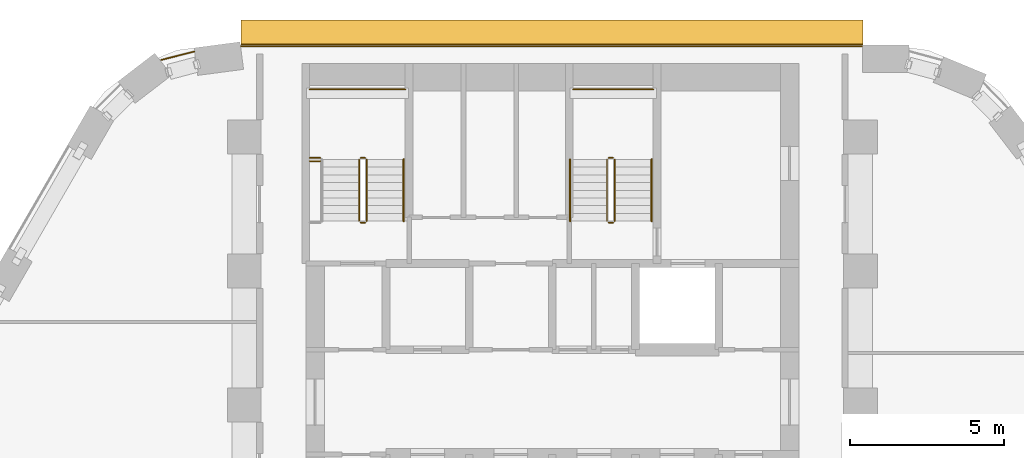
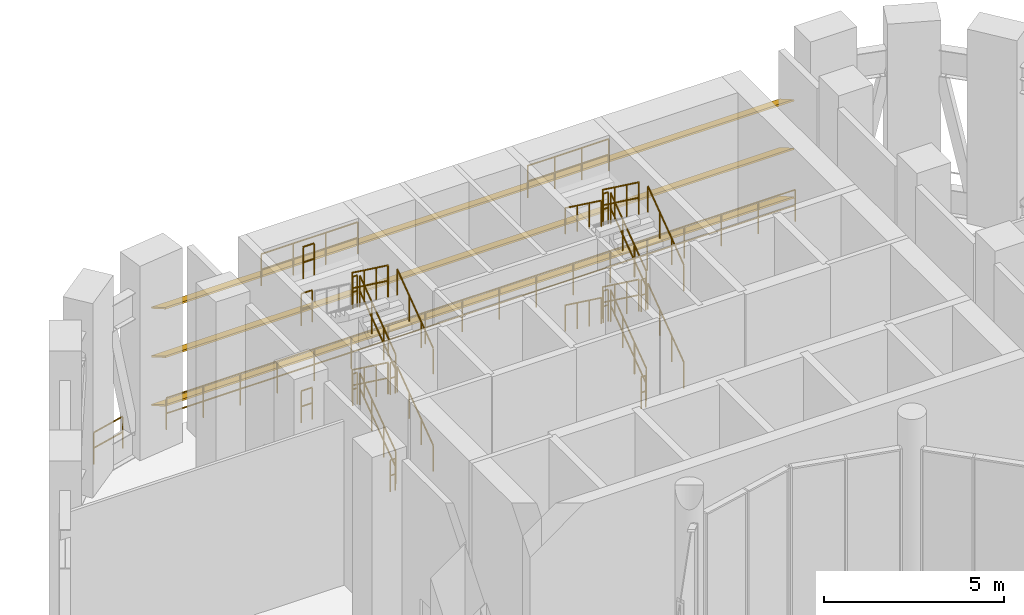
# One storey, part 19 of 20: 29 railings, 3 shading devices.
"""IFC4 building model written with IfcOpenShell, lengths in metres."""

import ifcopenshell
import ifcopenshell.guid

model = None  # the IFC model being written
_history = None  # IfcOwnerHistory: only IFC2X3 demands one
_inside = {}  # id of a spatial element -> (the spatial element, [elements in it])
_under = {}  # id of a project, library or spatial element -> (it, [spatial elements below it])
_declared = {}  # id of a project -> (the project, [libraries it declares])
_typed = {}  # id of a type object -> (the type object, [elements of that type])
_made_of = {}  # id of a material, layer set ... -> (it, [elements and type objects made of it])


def new_model(schema):
    """Start an empty IFC model of exactly this schema.

    Asked for "IFC4X3", IfcOpenShell would pick the latest addendum, in which some entities
    have other attributes; the version numbers below select the first issue.
    IFC2X3 requires an IfcOwnerHistory on every rooted entity: one is made here for all.
    """
    global model, _history
    if schema == "IFC4X3":
        model = ifcopenshell.file(schema_version=(4, 3, 0, 0))
    else:
        model = ifcopenshell.file(schema=schema)
    _inside.clear()
    _under.clear()
    _declared.clear()
    _typed.clear()
    _made_of.clear()
    _history = None
    if model.schema == "IFC2X3":
        org = make("IfcOrganization", Name="unknown")
        user = make(
            "IfcPersonAndOrganization",
            ThePerson=make("IfcPerson", FamilyName="unknown"),
            TheOrganization=org,
        )
        app = make(
            "IfcApplication",
            ApplicationDeveloper=org,
            Version="unknown",
            ApplicationFullName="unknown",
            ApplicationIdentifier="unknown",
        )
        _history = make(
            "IfcOwnerHistory",
            OwningUser=user,
            OwningApplication=app,
            ChangeAction="ADDED",
            CreationDate=0,
        )
    return model


def make(cls, **values):
    """One entity of the class cls with the attributes given. An attribute that is None is left unset."""
    return model.create_entity(
        cls, **{name: value for name, value in values.items() if value is not None}
    )


def rooted(cls, **values):
    """An entity with a GlobalId (a new one), such as an element, a storey or a relation."""
    return make(cls, GlobalId=ifcopenshell.guid.new(), OwnerHistory=_history, **values)


def si_unit(unit_type, name, prefix=None):
    """IfcSIUnit, for example si_unit("LENGTHUNIT", "METRE", prefix="MILLI")."""
    return make("IfcSIUnit", UnitType=unit_type, Prefix=prefix, Name=name)


def assignment(units):
    """IfcUnitAssignment: the units of a project."""
    return None if units is None else make("IfcUnitAssignment", Units=units)


def point(xyz):
    """IfcCartesianPoint."""
    return None if xyz is None else make("IfcCartesianPoint", Coordinates=xyz)


def direction(xyz):
    """IfcDirection."""
    return None if xyz is None else make("IfcDirection", DirectionRatios=xyz)


def frame(location, z_axis=None, x_axis=None):
    """IfcAxis2Placement3D, a coordinate frame: its origin and axes. An axis left out is left unset."""
    return make(
        "IfcAxis2Placement3D",
        Location=point(location),
        Axis=direction(z_axis),
        RefDirection=direction(x_axis),
    )


def frame_2d(location, x_axis=None):
    """IfcAxis2Placement2D, a coordinate frame in the plane: its origin and x axis."""
    return make(
        "IfcAxis2Placement2D", Location=point(location), RefDirection=direction(x_axis)
    )


def origin():
    """The frame at (0, 0, 0) with its axes left unset."""
    return frame((0.0, 0.0, 0.0))


def origin_2d():
    """The frame at (0, 0) in the plane with its x axis left unset."""
    return frame_2d((0.0, 0.0))


def place(relative_to, where):
    """IfcLocalPlacement: puts the frame where relative to a parent placement (None: the world)."""
    return make(
        "IfcLocalPlacement", PlacementRelTo=relative_to, RelativePlacement=where
    )


def context(
    kind, dimensions, precision=None, world=None, true_north=None, identifier=None
):
    """IfcGeometricRepresentationContext, for example the 3D "Model" context."""
    return make(
        "IfcGeometricRepresentationContext",
        ContextIdentifier=identifier,
        ContextType=kind,
        CoordinateSpaceDimension=dimensions,
        Precision=precision,
        WorldCoordinateSystem=world,
        TrueNorth=true_north,
    )


def subcontext(parent, identifier, kind, view, scale=None):
    """IfcGeometricRepresentationSubContext, for example "Body" below "Model"."""
    return make(
        "IfcGeometricRepresentationSubContext",
        ContextIdentifier=identifier,
        ContextType=kind,
        ParentContext=parent,
        TargetScale=scale,
        TargetView=view,
    )


def project(units=None, contexts=None):
    """IfcProject with its units and contexts."""
    return rooted(
        "IfcProject",
        Name="project",
        RepresentationContexts=contexts,
        UnitsInContext=assignment(units),
    )


def spatial(cls, under=None, at=None, **own):
    """A site, building, storey or space (cls), placed at a placement, below another one or the project."""
    s = rooted(cls, ObjectPlacement=at, **own)
    if under is not None:
        _under.setdefault(under.id(), (under, []))[1].append(s)
    return s


def profile(cls, at=None, kind="AREA", **sizes):
    """A parametric profile (cls). Its sizes go by their IFC names, for example OverallWidth=200.0."""
    return make(cls, ProfileType=kind, Position=at, **sizes)


def rectangle(**sizes):
    """IfcRectangleProfileDef."""
    return profile("IfcRectangleProfileDef", **sizes)


def circle(**sizes):
    """IfcCircleProfileDef."""
    return profile("IfcCircleProfileDef", **sizes)


def extrude(swept, where, along, depth):
    """IfcExtrudedAreaSolid: the profile swept, set in the frame where, extruded along a direction by depth."""
    return make(
        "IfcExtrudedAreaSolid",
        SweptArea=swept,
        Position=where,
        ExtrudedDirection=direction(along),
        Depth=depth,
    )


def shape(context_of_items, identifier, shape_type, items):
    """IfcShapeRepresentation: the items that make up one representation, for example the "Body"."""
    return make(
        "IfcShapeRepresentation",
        ContextOfItems=context_of_items,
        RepresentationIdentifier=identifier,
        RepresentationType=shape_type,
        Items=items,
    )


def material(Name=None, Category=None):
    """IfcMaterial."""
    return make("IfcMaterial", Name=Name, Category=Category)


def material_profile(
    of_material, cross_section, Name=None, Category=None, Priority=None
):
    """IfcMaterialProfile: a cross section and its material."""
    return make(
        "IfcMaterialProfile",
        Name=Name,
        Material=of_material,
        Profile=cross_section,
        Priority=Priority,
        Category=Category,
    )


def profile_set(profiles, Name=None, composite=None):
    """IfcMaterialProfileSet."""
    return make(
        "IfcMaterialProfileSet",
        Name=Name,
        MaterialProfiles=profiles,
        CompositeProfile=composite,
    )


def made_of(thing, what):
    """Note that an element or type object is made of a material, layer set ...; save() writes the relation."""
    if what is not None:
        _made_of.setdefault(what.id(), (what, []))[1].append(thing)
    return thing


def type_object(cls, material=None, **own):
    """A type object (cls), such as IfcWallType, which elements share."""
    return made_of(rooted(cls, **own), material)


def element(
    cls,
    number,
    at=None,
    inside=None,
    cuts=None,
    type_object=None,
    material=None,
    context=None,
    identifier="Body",
    shape_type=None,
    held_by="IfcProductDefinitionShape",
    body=None,
    shapes=None,
    **own,
):
    """One element of the class cls, such as IfcWall. Its Tag is "e" and its number.

    at: its placement. inside: the storey or other place that contains it. cuts: it is an
    opening in that element (IfcRelVoidsElement). A single representation is given by context,
    identifier, shape_type and body (its items); several are given by shapes. held_by: the class
    of the entity that holds the representations. save() writes the other relations.
    """
    e = rooted(cls, Tag="e%d" % number, ObjectPlacement=at, **own)
    if body is not None:
        shapes = [shape(context, identifier, shape_type, body)]
    if shapes is not None:
        e.Representation = make(held_by, Representations=shapes)
    if inside is not None:
        _inside.setdefault(inside.id(), (inside, []))[1].append(e)
    if cuts is not None:
        rooted(
            "IfcRelVoidsElement", RelatingBuildingElement=cuts, RelatedOpeningElement=e
        )
    if type_object is not None:
        _typed.setdefault(type_object.id(), (type_object, []))[1].append(e)
    return made_of(e, material)


def aggregate(whole, parts):
    """IfcRelAggregates: a whole, such as a stair, and the parts it consists of."""
    return rooted("IfcRelAggregates", RelatingObject=whole, RelatedObjects=parts)


def save(model, path):
    """Write the relations noted so far, then the file.

    IfcRelAggregates (storeys below a building ...), IfcRelContainedInSpatialStructure (elements
    in a storey), IfcRelDefinesByType, IfcRelAssociatesMaterial and IfcRelDeclares: one each for
    every whole, place, type object, material and project.
    """
    for whole, parts in _under.values():
        aggregate(whole, parts)
    for where, things in _inside.values():
        rooted(
            "IfcRelContainedInSpatialStructure",
            RelatedElements=things,
            RelatingStructure=where,
        )
    for kind, things in _typed.values():
        rooted("IfcRelDefinesByType", RelatedObjects=things, RelatingType=kind)
    for what, things in _made_of.values():
        rooted("IfcRelAssociatesMaterial", RelatedObjects=things, RelatingMaterial=what)
    for by, libraries in _declared.values():
        rooted("IfcRelDeclares", RelatingContext=by, RelatedDefinitions=libraries)
    model.write(path)


model = new_model("IFC4")

# Units and contexts
model_context = context("Model", 3, precision=1e-05, world=origin(), true_north=direction((0.0, 1.0)))
body_context = subcontext(model_context, "Body", "Model", "MODEL_VIEW")
ifc_project = project(units=[si_unit("LENGTHUNIT", "METRE"), si_unit("AREAUNIT", "SQUARE_METRE"), si_unit("VOLUMEUNIT", "CUBIC_METRE"), si_unit("PLANEANGLEUNIT", "RADIAN"), si_unit("MASSUNIT", "GRAM", prefix="KILO")], contexts=[model_context])

# Site, building, storey
site_placement = place(None, origin())
site = spatial("IfcSite", under=ifc_project, at=site_placement, CompositionType="ELEMENT")
building_placement = place(site_placement, origin())
building = spatial("IfcBuilding", under=site, at=building_placement, Name="Nakaniwa Court", CompositionType="ELEMENT")
storey_placement = place(building_placement, frame((0.0, 0.0, 71.10009765625)))
storey = spatial("IfcBuildingStorey", under=building, at=storey_placement, Name="S1", CompositionType="ELEMENT", Elevation=71.10009765625)

# Railings
ifc_material_1 = material(Name="Black powder-coated steel flat bar balustrade S275", Category="steel")
railing_type_1 = type_object("IfcRailingType", Name="Black metal terrace guard 1100", PredefinedType="GUARDRAIL", material=ifc_material_1)
railing_1_placement = place(storey_placement, frame((90.07861328125, 103.949951171875, 0.0)))
element("IfcRailing", 1, at=railing_1_placement, inside=storey, type_object=railing_type_1, Name="S1 refuge band guard 08", PredefinedType="GUARDRAIL", context=body_context, shape_type="SweptSolid", body=[
    extrude(circle(Radius=0.02392578125, at=origin_2d()), frame((0.0, 0.0, 1.076171875), z_axis=(-1.0, 0.0, 0.0), x_axis=(0.0, -1.0, 0.0)), (0.0, 0.0, 1.0), 20.1904296875),
    extrude(circle(Radius=0.02392578125, at=origin_2d()), frame((0.0, 0.0, 0.550048828125), z_axis=(-1.0, 0.0, 0.0), x_axis=(0.0, -1.0, 0.0)), (0.0, 0.0, 1.0), 20.1904296875),
    extrude(circle(Radius=0.02099609375, at=origin_2d()), origin(), (0.0, 0.0, 1.0), 1.052001953125),
    extrude(circle(Radius=0.02099609375, at=origin_2d()), frame((-1.187744140625, 0.0, 0.0)), (0.0, 0.0, 1.0), 1.052001953125),
    extrude(circle(Radius=0.02099609375, at=origin_2d()), frame((-2.375244140625, 0.0, 0.0)), (0.0, 0.0, 1.0), 1.052001953125),
    extrude(circle(Radius=0.02099609375, at=origin_2d()), frame((-3.56298828125, 0.0, 0.0)), (0.0, 0.0, 1.0), 1.052001953125),
    extrude(circle(Radius=0.02099609375, at=origin_2d()), frame((-4.750732421875, 0.0, 0.0)), (0.0, 0.0, 1.0), 1.052001953125),
    extrude(circle(Radius=0.02099609375, at=origin_2d()), frame((-5.9384765625, 0.0, 0.0)), (0.0, 0.0, 1.0), 1.052001953125),
    extrude(circle(Radius=0.02099609375, at=origin_2d()), frame((-7.1259765625, 0.0, 0.0)), (0.0, 0.0, 1.0), 1.052001953125),
    extrude(circle(Radius=0.02099609375, at=origin_2d()), frame((-8.313720703125, 0.0, 0.0)), (0.0, 0.0, 1.0), 1.052001953125),
    extrude(circle(Radius=0.02099609375, at=origin_2d()), frame((-9.50146484375, 0.0, 0.0)), (0.0, 0.0, 1.0), 1.052001953125),
    extrude(circle(Radius=0.02099609375, at=origin_2d()), frame((-10.68896484375, 0.0, 0.0)), (0.0, 0.0, 1.0), 1.052001953125),
    extrude(circle(Radius=0.02099609375, at=origin_2d()), frame((-11.876708984375, 0.0, 0.0)), (0.0, 0.0, 1.0), 1.052001953125),
    extrude(circle(Radius=0.02099609375, at=origin_2d()), frame((-13.064453125, 0.0, 0.0)), (0.0, 0.0, 1.0), 1.052001953125),
    extrude(circle(Radius=0.02099609375, at=origin_2d()), frame((-14.251953125, 0.0, 0.0)), (0.0, 0.0, 1.0), 1.052001953125),
    extrude(circle(Radius=0.02099609375, at=origin_2d()), frame((-15.439697265625, 0.0, 0.0)), (0.0, 0.0, 1.0), 1.052001953125),
    extrude(circle(Radius=0.02099609375, at=origin_2d()), frame((-16.62744140625, 0.0, 0.0)), (0.0, 0.0, 1.0), 1.052001953125),
    extrude(circle(Radius=0.02099609375, at=origin_2d()), frame((-17.815185546875, 0.0, 0.0)), (0.0, 0.0, 1.0), 1.052001953125),
    extrude(circle(Radius=0.02099609375, at=origin_2d()), frame((-19.002685546875, 0.0, 0.0)), (0.0, 0.0, 1.0), 1.052001953125),
    extrude(circle(Radius=0.02099609375, at=origin_2d()), frame((-20.1904296875, 0.0, 0.0)), (0.0, 0.0, 1.0), 1.052001953125),
])
railing_2_placement = place(storey_placement, frame((68.380859375, 103.780029296875, 0.0)))
element("IfcRailing", 2, at=railing_2_placement, inside=storey, type_object=railing_type_1, Name="S1 refuge band guard 09", PredefinedType="GUARDRAIL", context=body_context, shape_type="SweptSolid", body=[
    extrude(circle(Radius=0.02392578125, at=origin_2d()), frame((0.0, 0.0, 1.076171875), z_axis=(-0.969766298956, -0.244035500304, 0.0), x_axis=(0.244035500304, -0.969766298956, 0.0)), (0.0, 0.0, 1.0), 1.110595703125),
    extrude(circle(Radius=0.02392578125, at=origin_2d()), frame((0.0, 0.0, 0.550048828125), z_axis=(-0.969766298956, -0.244035500304, 0.0), x_axis=(0.244035500304, -0.969766298956, 0.0)), (0.0, 0.0, 1.0), 1.110595703125),
    extrude(circle(Radius=0.02099609375, at=origin_2d()), origin(), (0.0, 0.0, 1.0), 1.052001953125),
    extrude(circle(Radius=0.02099609375, at=origin_2d()), frame((-1.076904296875, -0.27099609375, 0.0)), (0.0, 0.0, 1.0), 1.052001953125),
])

# Shading devices
ifc_material_2 = material(Name="Perforated charcoal ceramic louvre blade")
ifc_material_profile = material_profile(ifc_material_2, rectangle(XDim=0.89990234375, YDim=0.050048828125, at=origin_2d()), Name="Perforated ceramic louvre blade")
ifc_profile_set = profile_set([ifc_material_profile], Name="Perforated charcoal ceramic louvre blade")
shading_device_type = type_object("IfcShadingDeviceType", Name="Perforated ceramic louvre blade", PredefinedType="JALOUSIE", material=ifc_profile_set)
for number, where, z_axis, x_axis, name in (
    (3, (90.07861328125, 104.402099609375, 0.5498046875), (-1.0, 0.0, 0.0), (0.0, -0.866025403784, 0.5), "S1 perforated ceramic louvre blade s08 1"),
    (4, (90.07861328125, 104.402099609375, 2.199951171875), (-1.0, 0.0, 0.0), (0.0, -0.866025403784, 0.5), "S1 perforated ceramic louvre blade s08 2"),
    (5, (90.07861328125, 104.402099609375, 3.849853515625), (-1.0, 0.0, 0.0), (0.0, -0.866025403784, 0.5), "S1 perforated ceramic louvre blade s08 3"),
):
    element("IfcShadingDevice", number, at=place(storey_placement, frame(where, z_axis=z_axis, x_axis=x_axis)), inside=storey, type_object=shading_device_type, Name=name, PredefinedType="JALOUSIE", context=body_context, shape_type="SweptSolid", body=[
        extrude(rectangle(XDim=0.89990234375, YDim=0.050048828125, at=origin_2d()), origin(), (0.0, 0.0, 1.0), 20.1904296875),
    ])

# Railings
ifc_material_3 = material(Name="Black powder coated steel guard", Category="steel")
railing_type_2 = type_object("IfcRailingType", Name="Stair guard 1100", PredefinedType="GUARDRAIL", material=ifc_material_3)
railing_3_placement = place(storey_placement, frame((73.97509765625, 98.27490234375, 0.183349609375)))
element("IfcRailing", 6, at=railing_3_placement, inside=storey, type_object=railing_type_2, Name="S1 ST1 stair guard 1", PredefinedType="GUARDRAIL", context=body_context, shape_type="SweptSolid", body=[
    extrude(circle(Radius=0.02392578125, at=origin_2d()), frame((0.0, 0.0, 1.076171875), z_axis=(0.0, 0.806426902644, 0.591333789573), x_axis=(-1.0, 0.0, 0.0)), (0.0, 0.0, 1.0), 2.47998046875),
    extrude(circle(Radius=0.02392578125, at=origin_2d()), frame((0.0, 0.0, 0.550048828125), z_axis=(0.0, 0.806426902644, 0.591333789573), x_axis=(-1.0, 0.0, 0.0)), (0.0, 0.0, 1.0), 2.47998046875),
    extrude(circle(Radius=0.02099609375, at=origin_2d()), origin(), (0.0, 0.0, 1.0), 1.052001953125),
    extrude(circle(Radius=0.02099609375, at=origin_2d()), frame((0.0, 0.666748046875, 0.48876953125)), (0.0, 0.0, 1.0), 1.052001953125),
    extrude(circle(Radius=0.02099609375, at=origin_2d()), frame((0.0, 1.333251953125, 0.977783203125)), (0.0, 0.0, 1.0), 1.052001953125),
    extrude(circle(Radius=0.02099609375, at=origin_2d()), frame((0.0, 2.0, 1.466552734375)), (0.0, 0.0, 1.0), 1.052001953125),
])
railing_4_placement = place(storey_placement, frame((73.925048828125, 100.324951171875, 1.64990234375)))
element("IfcRailing", 7, at=railing_4_placement, inside=storey, type_object=railing_type_2, Name="S1 ST1 stair guard 2", PredefinedType="GUARDRAIL", context=body_context, shape_type="SweptSolid", body=[
    extrude(circle(Radius=0.02392578125, at=origin_2d()), frame((0.0, 0.0, 1.076171875), z_axis=(-1.0, 0.0, 0.0), x_axis=(0.0, -1.0, 0.0)), (0.0, 0.0, 1.0), 0.150146484375),
    extrude(circle(Radius=0.02392578125, at=origin_2d()), frame((0.0, 0.0, 0.550048828125), z_axis=(-1.0, 0.0, 0.0), x_axis=(0.0, -1.0, 0.0)), (0.0, 0.0, 1.0), 0.150146484375),
    extrude(circle(Radius=0.02099609375, at=origin_2d()), origin(), (0.0, 0.0, 1.0), 1.052001953125),
    extrude(circle(Radius=0.02099609375, at=origin_2d()), frame((-0.150146484375, 0.0, 0.0)), (0.0, 0.0, 1.0), 1.052001953125),
])
railing_5_placement = place(storey_placement, frame((73.72509765625, 100.27490234375, 1.833251953125)))
element("IfcRailing", 8, at=railing_5_placement, inside=storey, type_object=railing_type_2, Name="S1 ST1 stair guard 3", PredefinedType="GUARDRAIL", context=body_context, shape_type="SweptSolid", body=[
    extrude(circle(Radius=0.02392578125, at=origin_2d()), frame((0.0, 0.0, 1.076171875), z_axis=(0.0, -0.806426902644, 0.591333789573), x_axis=(1.0, 0.0, 0.0)), (0.0, 0.0, 1.0), 2.47998046875),
    extrude(circle(Radius=0.02392578125, at=origin_2d()), frame((0.0, 0.0, 0.550048828125), z_axis=(0.0, -0.806426902644, 0.591333789573), x_axis=(1.0, 0.0, 0.0)), (0.0, 0.0, 1.0), 2.47998046875),
    extrude(circle(Radius=0.02099609375, at=origin_2d()), origin(), (0.0, 0.0, 1.0), 1.052001953125),
    extrude(circle(Radius=0.02099609375, at=origin_2d()), frame((0.0, -0.666748046875, 0.48876953125)), (0.0, 0.0, 1.0), 1.052001953125),
    extrude(circle(Radius=0.02099609375, at=origin_2d()), frame((0.0, -1.333251953125, 0.977783203125)), (0.0, 0.0, 1.0), 1.052001953125),
    extrude(circle(Radius=0.02099609375, at=origin_2d()), frame((0.0, -2.0, 1.466552734375)), (0.0, 0.0, 1.0), 1.052001953125),
])
railing_6_placement = place(storey_placement, frame((73.925048828125, 98.22509765625, 3.2998046875)))
element("IfcRailing", 9, at=railing_6_placement, inside=storey, type_object=railing_type_2, Name="S1 ST1 stair guard 4", PredefinedType="GUARDRAIL", context=body_context, shape_type="SweptSolid", body=[
    extrude(circle(Radius=0.02392578125, at=origin_2d()), frame((0.0, 0.0, 1.076171875), z_axis=(-1.0, 0.0, 0.0), x_axis=(0.0, -1.0, 0.0)), (0.0, 0.0, 1.0), 0.150146484375),
    extrude(circle(Radius=0.02392578125, at=origin_2d()), frame((0.0, 0.0, 0.550048828125), z_axis=(-1.0, 0.0, 0.0), x_axis=(0.0, -1.0, 0.0)), (0.0, 0.0, 1.0), 0.150146484375),
    extrude(circle(Radius=0.02099609375, at=origin_2d()), origin(), (0.0, 0.0, 1.0), 1.052001953125),
    extrude(circle(Radius=0.02099609375, at=origin_2d()), frame((-0.150146484375, 0.0, 0.0)), (0.0, 0.0, 1.0), 1.052001953125),
])
railing_7_placement = place(storey_placement, frame((73.97509765625, 98.27490234375, 3.483154296875)))
element("IfcRailing", 10, at=railing_7_placement, inside=storey, type_object=railing_type_2, Name="S1 ST1 stair guard 5", PredefinedType="GUARDRAIL", context=body_context, shape_type="SweptSolid", body=[
    extrude(circle(Radius=0.02392578125, at=origin_2d()), frame((0.0, 0.0, 1.076171875), z_axis=(0.0, 0.806379959628, 0.591397802423), x_axis=(-1.0, 0.0, 0.0)), (0.0, 0.0, 1.0), 2.480224609375),
    extrude(circle(Radius=0.02392578125, at=origin_2d()), frame((0.0, 0.0, 0.550048828125), z_axis=(0.0, 0.806379959628, 0.591397802423), x_axis=(-1.0, 0.0, 0.0)), (0.0, 0.0, 1.0), 2.480224609375),
    extrude(circle(Radius=0.02099609375, at=origin_2d()), origin(), (0.0, 0.0, 1.0), 1.052001953125),
    extrude(circle(Radius=0.02099609375, at=origin_2d()), frame((0.0, 0.666748046875, 0.489013671875)), (0.0, 0.0, 1.0), 1.052001953125),
    extrude(circle(Radius=0.02099609375, at=origin_2d()), frame((0.0, 1.333251953125, 0.977783203125)), (0.0, 0.0, 1.0), 1.052001953125),
    extrude(circle(Radius=0.02099609375, at=origin_2d()), frame((0.0, 2.0, 1.466796875)), (0.0, 0.0, 1.0), 1.052001953125),
])
railing_8_placement = place(storey_placement, frame((73.925048828125, 100.324951171875, 4.949951171875)))
element("IfcRailing", 11, at=railing_8_placement, inside=storey, type_object=railing_type_2, Name="S1 ST1 stair guard 6", PredefinedType="GUARDRAIL", context=body_context, shape_type="SweptSolid", body=[
    extrude(circle(Radius=0.02392578125, at=origin_2d()), frame((0.0, 0.0, 1.076171875), z_axis=(-1.0, 0.0, 0.0), x_axis=(0.0, -1.0, 0.0)), (0.0, 0.0, 1.0), 0.150146484375),
    extrude(circle(Radius=0.02392578125, at=origin_2d()), frame((0.0, 0.0, 0.550048828125), z_axis=(-1.0, 0.0, 0.0), x_axis=(0.0, -1.0, 0.0)), (0.0, 0.0, 1.0), 0.150146484375),
    extrude(circle(Radius=0.02099609375, at=origin_2d()), origin(), (0.0, 0.0, 1.0), 1.052001953125),
    extrude(circle(Radius=0.02099609375, at=origin_2d()), frame((-0.150146484375, 0.0, 0.0)), (0.0, 0.0, 1.0), 1.052001953125),
])
railing_9_placement = place(storey_placement, frame((73.72509765625, 100.27490234375, 5.13330078125)))
element("IfcRailing", 12, at=railing_9_placement, inside=storey, type_object=railing_type_2, Name="S1 ST1 stair guard 7", PredefinedType="GUARDRAIL", context=body_context, shape_type="SweptSolid", body=[
    extrude(circle(Radius=0.02392578125, at=origin_2d()), frame((0.0, 0.0, 1.076171875), z_axis=(0.0, -0.806426902644, 0.591333789573), x_axis=(1.0, 0.0, 0.0)), (0.0, 0.0, 1.0), 2.47998046875),
    extrude(circle(Radius=0.02392578125, at=origin_2d()), frame((0.0, 0.0, 0.550048828125), z_axis=(0.0, -0.806426902644, 0.591333789573), x_axis=(1.0, 0.0, 0.0)), (0.0, 0.0, 1.0), 2.47998046875),
    extrude(circle(Radius=0.02099609375, at=origin_2d()), origin(), (0.0, 0.0, 1.0), 1.052001953125),
    extrude(circle(Radius=0.02099609375, at=origin_2d()), frame((0.0, -0.666748046875, 0.48876953125)), (0.0, 0.0, 1.0), 1.052001953125),
    extrude(circle(Radius=0.02099609375, at=origin_2d()), frame((0.0, -1.333251953125, 0.977783203125)), (0.0, 0.0, 1.0), 1.052001953125),
    extrude(circle(Radius=0.02099609375, at=origin_2d()), frame((0.0, -2.0, 1.466552734375)), (0.0, 0.0, 1.0), 1.052001953125),
])
railing_10_placement = place(storey_placement, frame((73.925048828125, 98.22509765625, 0.0)))
element("IfcRailing", 13, at=railing_10_placement, inside=storey, type_object=railing_type_2, Name="S1 ST1 stair guard 8", PredefinedType="GUARDRAIL", context=body_context, shape_type="SweptSolid", body=[
    extrude(circle(Radius=0.02392578125, at=origin_2d()), frame((0.0, 0.0, 1.076171875), z_axis=(-1.0, 0.0, 0.0), x_axis=(0.0, -1.0, 0.0)), (0.0, 0.0, 1.0), 0.150146484375),
    extrude(circle(Radius=0.02392578125, at=origin_2d()), frame((0.0, 0.0, 0.550048828125), z_axis=(-1.0, 0.0, 0.0), x_axis=(0.0, -1.0, 0.0)), (0.0, 0.0, 1.0), 0.150146484375),
    extrude(circle(Radius=0.02099609375, at=origin_2d()), origin(), (0.0, 0.0, 1.0), 1.052001953125),
    extrude(circle(Radius=0.02099609375, at=origin_2d()), frame((-0.150146484375, 0.0, 0.0)), (0.0, 0.0, 1.0), 1.052001953125),
])
railing_11_placement = place(storey_placement, frame((72.125, 100.324951171875, 1.64990234375)))
element("IfcRailing", 14, at=railing_11_placement, inside=storey, type_object=railing_type_2, Name="S1 ST1 landing side guard 1W", PredefinedType="GUARDRAIL", context=body_context, shape_type="SweptSolid", body=[
    extrude(circle(Radius=0.02392578125, at=origin_2d()), frame((0.0, 0.0, 1.076171875), z_axis=(1.0, 0.0, 0.0), x_axis=(0.0, 1.0, 0.0)), (0.0, 0.0, 1.0), 0.35009765625),
    extrude(circle(Radius=0.02392578125, at=origin_2d()), frame((0.0, 0.0, 0.550048828125), z_axis=(1.0, 0.0, 0.0), x_axis=(0.0, 1.0, 0.0)), (0.0, 0.0, 1.0), 0.35009765625),
    extrude(circle(Radius=0.02099609375, at=origin_2d()), origin(), (0.0, 0.0, 1.0), 1.052001953125),
    extrude(circle(Radius=0.02099609375, at=origin_2d()), frame((0.35009765625, 0.0, 0.0)), (0.0, 0.0, 1.0), 1.052001953125),
])
railing_12_placement = place(storey_placement, frame((72.125, 102.550048828125, 4.949951171875)))
element("IfcRailing", 15, at=railing_12_placement, inside=storey, type_object=railing_type_2, Name="S1 ST1 landing end guard 3", PredefinedType="GUARDRAIL", context=body_context, shape_type="SweptSolid", body=[
    extrude(circle(Radius=0.02392578125, at=origin_2d()), frame((0.0, 0.0, 1.076171875), z_axis=(1.0, 0.0, 0.0), x_axis=(0.0, 1.0, 0.0)), (0.0, 0.0, 1.0), 3.10009765625),
    extrude(circle(Radius=0.02392578125, at=origin_2d()), frame((0.0, 0.0, 0.550048828125), z_axis=(1.0, 0.0, 0.0), x_axis=(0.0, 1.0, 0.0)), (0.0, 0.0, 1.0), 3.10009765625),
    extrude(circle(Radius=0.02099609375, at=origin_2d()), origin(), (0.0, 0.0, 1.0), 1.052001953125),
    extrude(circle(Radius=0.02099609375, at=origin_2d()), frame((1.033447265625, 0.0, 0.0)), (0.0, 0.0, 1.0), 1.052001953125),
    extrude(circle(Radius=0.02099609375, at=origin_2d()), frame((2.066650390625, 0.0, 0.0)), (0.0, 0.0, 1.0), 1.052001953125),
    extrude(circle(Radius=0.02099609375, at=origin_2d()), frame((3.10009765625, 0.0, 0.0)), (0.0, 0.0, 1.0), 1.052001953125),
])
for number, where, name in (
    (16, (72.125, 100.324951171875, 4.949951171875), "S1 ST1 landing side guard 3W"),
    (17, (72.125, 100.22509765625, 6.599853515625), "S1 ST1 floor edge guard 3W"),
):
    element("IfcRailing", number, at=place(storey_placement, frame(where)), inside=storey, type_object=railing_type_2, Name=name, PredefinedType="GUARDRAIL", context=body_context, shape_type="SweptSolid", body=[
        extrude(circle(Radius=0.02392578125, at=origin_2d()), frame((0.0, 0.0, 1.076171875), z_axis=(1.0, 0.0, 0.0), x_axis=(0.0, 1.0, 0.0)), (0.0, 0.0, 1.0), 0.35009765625),
        extrude(circle(Radius=0.02392578125, at=origin_2d()), frame((0.0, 0.0, 0.550048828125), z_axis=(1.0, 0.0, 0.0), x_axis=(0.0, 1.0, 0.0)), (0.0, 0.0, 1.0), 0.35009765625),
        extrude(circle(Radius=0.02099609375, at=origin_2d()), origin(), (0.0, 0.0, 1.0), 1.052001953125),
        extrude(circle(Radius=0.02099609375, at=origin_2d()), frame((0.35009765625, 0.0, 0.0)), (0.0, 0.0, 1.0), 1.052001953125),
    ])
railing_13_placement = place(storey_placement, frame((82.02490234375, 98.27490234375, 0.183349609375)))
element("IfcRailing", 18, at=railing_13_placement, inside=storey, type_object=railing_type_2, Name="S1 ST2 stair guard 1", PredefinedType="GUARDRAIL", context=body_context, shape_type="SweptSolid", body=[
    extrude(circle(Radius=0.02392578125, at=origin_2d()), frame((0.0, 0.0, 1.076171875), z_axis=(0.0, 0.806426902644, 0.591333789573), x_axis=(-1.0, 0.0, 0.0)), (0.0, 0.0, 1.0), 2.47998046875),
    extrude(circle(Radius=0.02392578125, at=origin_2d()), frame((0.0, 0.0, 0.550048828125), z_axis=(0.0, 0.806426902644, 0.591333789573), x_axis=(-1.0, 0.0, 0.0)), (0.0, 0.0, 1.0), 2.47998046875),
    extrude(circle(Radius=0.02099609375, at=origin_2d()), origin(), (0.0, 0.0, 1.0), 1.052001953125),
    extrude(circle(Radius=0.02099609375, at=origin_2d()), frame((0.0, 0.666748046875, 0.48876953125)), (0.0, 0.0, 1.0), 1.052001953125),
    extrude(circle(Radius=0.02099609375, at=origin_2d()), frame((0.0, 1.333251953125, 0.977783203125)), (0.0, 0.0, 1.0), 1.052001953125),
    extrude(circle(Radius=0.02099609375, at=origin_2d()), frame((0.0, 2.0, 1.466552734375)), (0.0, 0.0, 1.0), 1.052001953125),
])
railing_14_placement = place(storey_placement, frame((81.97509765625, 100.324951171875, 1.64990234375)))
element("IfcRailing", 19, at=railing_14_placement, inside=storey, type_object=railing_type_2, Name="S1 ST2 stair guard 2", PredefinedType="GUARDRAIL", context=body_context, shape_type="SweptSolid", body=[
    extrude(circle(Radius=0.02392578125, at=origin_2d()), frame((0.0, 0.0, 1.076171875), z_axis=(-1.0, 0.0, 0.0), x_axis=(0.0, -1.0, 0.0)), (0.0, 0.0, 1.0), 0.150146484375),
    extrude(circle(Radius=0.02392578125, at=origin_2d()), frame((0.0, 0.0, 0.550048828125), z_axis=(-1.0, 0.0, 0.0), x_axis=(0.0, -1.0, 0.0)), (0.0, 0.0, 1.0), 0.150146484375),
    extrude(circle(Radius=0.02099609375, at=origin_2d()), origin(), (0.0, 0.0, 1.0), 1.052001953125),
    extrude(circle(Radius=0.02099609375, at=origin_2d()), frame((-0.150146484375, 0.0, 0.0)), (0.0, 0.0, 1.0), 1.052001953125),
])
railing_15_placement = place(storey_placement, frame((81.77490234375, 100.27490234375, 1.833251953125)))
element("IfcRailing", 20, at=railing_15_placement, inside=storey, type_object=railing_type_2, Name="S1 ST2 stair guard 3", PredefinedType="GUARDRAIL", context=body_context, shape_type="SweptSolid", body=[
    extrude(circle(Radius=0.02392578125, at=origin_2d()), frame((0.0, 0.0, 1.076171875), z_axis=(0.0, -0.806426902644, 0.591333789573), x_axis=(1.0, 0.0, 0.0)), (0.0, 0.0, 1.0), 2.47998046875),
    extrude(circle(Radius=0.02392578125, at=origin_2d()), frame((0.0, 0.0, 0.550048828125), z_axis=(0.0, -0.806426902644, 0.591333789573), x_axis=(1.0, 0.0, 0.0)), (0.0, 0.0, 1.0), 2.47998046875),
    extrude(circle(Radius=0.02099609375, at=origin_2d()), origin(), (0.0, 0.0, 1.0), 1.052001953125),
    extrude(circle(Radius=0.02099609375, at=origin_2d()), frame((0.0, -0.666748046875, 0.48876953125)), (0.0, 0.0, 1.0), 1.052001953125),
    extrude(circle(Radius=0.02099609375, at=origin_2d()), frame((0.0, -1.333251953125, 0.977783203125)), (0.0, 0.0, 1.0), 1.052001953125),
    extrude(circle(Radius=0.02099609375, at=origin_2d()), frame((0.0, -2.0, 1.466552734375)), (0.0, 0.0, 1.0), 1.052001953125),
])
railing_16_placement = place(storey_placement, frame((81.97509765625, 98.22509765625, 3.2998046875)))
element("IfcRailing", 21, at=railing_16_placement, inside=storey, type_object=railing_type_2, Name="S1 ST2 stair guard 4", PredefinedType="GUARDRAIL", context=body_context, shape_type="SweptSolid", body=[
    extrude(circle(Radius=0.02392578125, at=origin_2d()), frame((0.0, 0.0, 1.076171875), z_axis=(-1.0, 0.0, 0.0), x_axis=(0.0, -1.0, 0.0)), (0.0, 0.0, 1.0), 0.150146484375),
    extrude(circle(Radius=0.02392578125, at=origin_2d()), frame((0.0, 0.0, 0.550048828125), z_axis=(-1.0, 0.0, 0.0), x_axis=(0.0, -1.0, 0.0)), (0.0, 0.0, 1.0), 0.150146484375),
    extrude(circle(Radius=0.02099609375, at=origin_2d()), origin(), (0.0, 0.0, 1.0), 1.052001953125),
    extrude(circle(Radius=0.02099609375, at=origin_2d()), frame((-0.150146484375, 0.0, 0.0)), (0.0, 0.0, 1.0), 1.052001953125),
])
railing_17_placement = place(storey_placement, frame((82.02490234375, 98.27490234375, 3.483154296875)))
element("IfcRailing", 22, at=railing_17_placement, inside=storey, type_object=railing_type_2, Name="S1 ST2 stair guard 5", PredefinedType="GUARDRAIL", context=body_context, shape_type="SweptSolid", body=[
    extrude(circle(Radius=0.02392578125, at=origin_2d()), frame((0.0, 0.0, 1.076171875), z_axis=(0.0, 0.806379959628, 0.591397802423), x_axis=(-1.0, 0.0, 0.0)), (0.0, 0.0, 1.0), 2.480224609375),
    extrude(circle(Radius=0.02392578125, at=origin_2d()), frame((0.0, 0.0, 0.550048828125), z_axis=(0.0, 0.806379959628, 0.591397802423), x_axis=(-1.0, 0.0, 0.0)), (0.0, 0.0, 1.0), 2.480224609375),
    extrude(circle(Radius=0.02099609375, at=origin_2d()), origin(), (0.0, 0.0, 1.0), 1.052001953125),
    extrude(circle(Radius=0.02099609375, at=origin_2d()), frame((0.0, 0.666748046875, 0.489013671875)), (0.0, 0.0, 1.0), 1.052001953125),
    extrude(circle(Radius=0.02099609375, at=origin_2d()), frame((0.0, 1.333251953125, 0.977783203125)), (0.0, 0.0, 1.0), 1.052001953125),
    extrude(circle(Radius=0.02099609375, at=origin_2d()), frame((0.0, 2.0, 1.466796875)), (0.0, 0.0, 1.0), 1.052001953125),
])
railing_18_placement = place(storey_placement, frame((81.97509765625, 100.324951171875, 4.949951171875)))
element("IfcRailing", 23, at=railing_18_placement, inside=storey, type_object=railing_type_2, Name="S1 ST2 stair guard 6", PredefinedType="GUARDRAIL", context=body_context, shape_type="SweptSolid", body=[
    extrude(circle(Radius=0.02392578125, at=origin_2d()), frame((0.0, 0.0, 1.076171875), z_axis=(-1.0, 0.0, 0.0), x_axis=(0.0, -1.0, 0.0)), (0.0, 0.0, 1.0), 0.150146484375),
    extrude(circle(Radius=0.02392578125, at=origin_2d()), frame((0.0, 0.0, 0.550048828125), z_axis=(-1.0, 0.0, 0.0), x_axis=(0.0, -1.0, 0.0)), (0.0, 0.0, 1.0), 0.150146484375),
    extrude(circle(Radius=0.02099609375, at=origin_2d()), origin(), (0.0, 0.0, 1.0), 1.052001953125),
    extrude(circle(Radius=0.02099609375, at=origin_2d()), frame((-0.150146484375, 0.0, 0.0)), (0.0, 0.0, 1.0), 1.052001953125),
])
railing_19_placement = place(storey_placement, frame((81.77490234375, 100.27490234375, 5.13330078125)))
element("IfcRailing", 24, at=railing_19_placement, inside=storey, type_object=railing_type_2, Name="S1 ST2 stair guard 7", PredefinedType="GUARDRAIL", context=body_context, shape_type="SweptSolid", body=[
    extrude(circle(Radius=0.02392578125, at=origin_2d()), frame((0.0, 0.0, 1.076171875), z_axis=(0.0, -0.806426902644, 0.591333789573), x_axis=(1.0, 0.0, 0.0)), (0.0, 0.0, 1.0), 2.47998046875),
    extrude(circle(Radius=0.02392578125, at=origin_2d()), frame((0.0, 0.0, 0.550048828125), z_axis=(0.0, -0.806426902644, 0.591333789573), x_axis=(1.0, 0.0, 0.0)), (0.0, 0.0, 1.0), 2.47998046875),
    extrude(circle(Radius=0.02099609375, at=origin_2d()), origin(), (0.0, 0.0, 1.0), 1.052001953125),
    extrude(circle(Radius=0.02099609375, at=origin_2d()), frame((0.0, -0.666748046875, 0.48876953125)), (0.0, 0.0, 1.0), 1.052001953125),
    extrude(circle(Radius=0.02099609375, at=origin_2d()), frame((0.0, -1.333251953125, 0.977783203125)), (0.0, 0.0, 1.0), 1.052001953125),
    extrude(circle(Radius=0.02099609375, at=origin_2d()), frame((0.0, -2.0, 1.466552734375)), (0.0, 0.0, 1.0), 1.052001953125),
])
railing_20_placement = place(storey_placement, frame((81.97509765625, 98.22509765625, 0.0)))
element("IfcRailing", 25, at=railing_20_placement, inside=storey, type_object=railing_type_2, Name="S1 ST2 stair guard 8", PredefinedType="GUARDRAIL", context=body_context, shape_type="SweptSolid", body=[
    extrude(circle(Radius=0.02392578125, at=origin_2d()), frame((0.0, 0.0, 1.076171875), z_axis=(-1.0, 0.0, 0.0), x_axis=(0.0, -1.0, 0.0)), (0.0, 0.0, 1.0), 0.150146484375),
    extrude(circle(Radius=0.02392578125, at=origin_2d()), frame((0.0, 0.0, 0.550048828125), z_axis=(-1.0, 0.0, 0.0), x_axis=(0.0, -1.0, 0.0)), (0.0, 0.0, 1.0), 0.150146484375),
    extrude(circle(Radius=0.02099609375, at=origin_2d()), origin(), (0.0, 0.0, 1.0), 1.052001953125),
    extrude(circle(Radius=0.02099609375, at=origin_2d()), frame((-0.150146484375, 0.0, 0.0)), (0.0, 0.0, 1.0), 1.052001953125),
])
railing_21_placement = place(storey_placement, frame((80.675048828125, 102.550048828125, 4.949951171875)))
element("IfcRailing", 26, at=railing_21_placement, inside=storey, type_object=railing_type_2, Name="S1 ST2 landing end guard 3", PredefinedType="GUARDRAIL", context=body_context, shape_type="SweptSolid", body=[
    extrude(circle(Radius=0.02392578125, at=origin_2d()), frame((0.0, 0.0, 1.076171875), z_axis=(1.0, 0.0, 0.0), x_axis=(0.0, 1.0, 0.0)), (0.0, 0.0, 1.0), 2.599853515625),
    extrude(circle(Radius=0.02392578125, at=origin_2d()), frame((0.0, 0.0, 0.550048828125), z_axis=(1.0, 0.0, 0.0), x_axis=(0.0, 1.0, 0.0)), (0.0, 0.0, 1.0), 2.599853515625),
    extrude(circle(Radius=0.02099609375, at=origin_2d()), origin(), (0.0, 0.0, 1.0), 1.052001953125),
    extrude(circle(Radius=0.02099609375, at=origin_2d()), frame((0.86669921875, 0.0, 0.0)), (0.0, 0.0, 1.0), 1.052001953125),
    extrude(circle(Radius=0.02099609375, at=origin_2d()), frame((1.733154296875, 0.0, 0.0)), (0.0, 0.0, 1.0), 1.052001953125),
    extrude(circle(Radius=0.02099609375, at=origin_2d()), frame((2.599853515625, 0.0, 0.0)), (0.0, 0.0, 1.0), 1.052001953125),
])
ifc_material_4 = material(Name="Black powder coated steel handrail", Category="steel")
railing_type_3 = type_object("IfcRailingType", Name="Stair handrail 900", PredefinedType="HANDRAIL", material=ifc_material_4)
railing_22_placement = place(storey_placement, frame((75.175048828125, 98.27490234375, 0.183349609375)))
element("IfcRailing", 27, at=railing_22_placement, inside=storey, type_object=railing_type_3, Name="S1 ST1 stair handrail 1", PredefinedType="HANDRAIL", context=body_context, shape_type="SweptSolid", body=[
    extrude(circle(Radius=0.02392578125, at=origin_2d()), frame((0.0, 0.0, 0.8759765625), z_axis=(0.0, 0.806426902644, 0.591333789573), x_axis=(-1.0, 0.0, 0.0)), (0.0, 0.0, 1.0), 2.47998046875),
    extrude(circle(Radius=0.02099609375, at=origin_2d()), origin(), (0.0, 0.0, 1.0), 0.851806640625),
    extrude(circle(Radius=0.02099609375, at=origin_2d()), frame((0.0, 0.666748046875, 0.48876953125)), (0.0, 0.0, 1.0), 0.851806640625),
    extrude(circle(Radius=0.02099609375, at=origin_2d()), frame((0.0, 1.333251953125, 0.977783203125)), (0.0, 0.0, 1.0), 0.851806640625),
    extrude(circle(Radius=0.02099609375, at=origin_2d()), frame((0.0, 2.0, 1.466552734375)), (0.0, 0.0, 1.0), 0.851806640625),
])
railing_23_placement = place(storey_placement, frame((75.175048828125, 98.27490234375, 3.483154296875)))
element("IfcRailing", 28, at=railing_23_placement, inside=storey, type_object=railing_type_3, Name="S1 ST1 stair handrail 3", PredefinedType="HANDRAIL", context=body_context, shape_type="SweptSolid", body=[
    extrude(circle(Radius=0.02392578125, at=origin_2d()), frame((0.0, 0.0, 0.8759765625), z_axis=(0.0, 0.806379959628, 0.591397802423), x_axis=(-1.0, 0.0, 0.0)), (0.0, 0.0, 1.0), 2.480224609375),
    extrude(circle(Radius=0.02099609375, at=origin_2d()), origin(), (0.0, 0.0, 1.0), 0.851806640625),
    extrude(circle(Radius=0.02099609375, at=origin_2d()), frame((0.0, 0.666748046875, 0.489013671875)), (0.0, 0.0, 1.0), 0.851806640625),
    extrude(circle(Radius=0.02099609375, at=origin_2d()), frame((0.0, 1.333251953125, 0.977783203125)), (0.0, 0.0, 1.0), 0.851806640625),
    extrude(circle(Radius=0.02099609375, at=origin_2d()), frame((0.0, 2.0, 1.466796875)), (0.0, 0.0, 1.0), 0.851806640625),
])
railing_24_placement = place(storey_placement, frame((83.22509765625, 98.27490234375, 0.183349609375)))
element("IfcRailing", 29, at=railing_24_placement, inside=storey, type_object=railing_type_3, Name="S1 ST2 stair handrail 1", PredefinedType="HANDRAIL", context=body_context, shape_type="SweptSolid", body=[
    extrude(circle(Radius=0.02392578125, at=origin_2d()), frame((0.0, 0.0, 0.8759765625), z_axis=(0.0, 0.806426902644, 0.591333789573), x_axis=(-1.0, 0.0, 0.0)), (0.0, 0.0, 1.0), 2.47998046875),
    extrude(circle(Radius=0.02099609375, at=origin_2d()), origin(), (0.0, 0.0, 1.0), 0.851806640625),
    extrude(circle(Radius=0.02099609375, at=origin_2d()), frame((0.0, 0.666748046875, 0.48876953125)), (0.0, 0.0, 1.0), 0.851806640625),
    extrude(circle(Radius=0.02099609375, at=origin_2d()), frame((0.0, 1.333251953125, 0.977783203125)), (0.0, 0.0, 1.0), 0.851806640625),
    extrude(circle(Radius=0.02099609375, at=origin_2d()), frame((0.0, 2.0, 1.466552734375)), (0.0, 0.0, 1.0), 0.851806640625),
])
railing_25_placement = place(storey_placement, frame((80.574951171875, 100.27490234375, 1.833251953125)))
element("IfcRailing", 30, at=railing_25_placement, inside=storey, type_object=railing_type_3, Name="S1 ST2 stair handrail 2", PredefinedType="HANDRAIL", context=body_context, shape_type="SweptSolid", body=[
    extrude(circle(Radius=0.02392578125, at=origin_2d()), frame((0.0, 0.0, 0.8759765625), z_axis=(0.0, -0.806426902644, 0.591333789573), x_axis=(1.0, 0.0, 0.0)), (0.0, 0.0, 1.0), 2.47998046875),
    extrude(circle(Radius=0.02099609375, at=origin_2d()), origin(), (0.0, 0.0, 1.0), 0.851806640625),
    extrude(circle(Radius=0.02099609375, at=origin_2d()), frame((0.0, -0.666748046875, 0.48876953125)), (0.0, 0.0, 1.0), 0.851806640625),
    extrude(circle(Radius=0.02099609375, at=origin_2d()), frame((0.0, -1.333251953125, 0.977783203125)), (0.0, 0.0, 1.0), 0.851806640625),
    extrude(circle(Radius=0.02099609375, at=origin_2d()), frame((0.0, -2.0, 1.466552734375)), (0.0, 0.0, 1.0), 0.851806640625),
])
railing_26_placement = place(storey_placement, frame((83.22509765625, 98.27490234375, 3.483154296875)))
element("IfcRailing", 31, at=railing_26_placement, inside=storey, type_object=railing_type_3, Name="S1 ST2 stair handrail 3", PredefinedType="HANDRAIL", context=body_context, shape_type="SweptSolid", body=[
    extrude(circle(Radius=0.02392578125, at=origin_2d()), frame((0.0, 0.0, 0.8759765625), z_axis=(0.0, 0.806379959628, 0.591397802423), x_axis=(-1.0, 0.0, 0.0)), (0.0, 0.0, 1.0), 2.480224609375),
    extrude(circle(Radius=0.02099609375, at=origin_2d()), origin(), (0.0, 0.0, 1.0), 0.851806640625),
    extrude(circle(Radius=0.02099609375, at=origin_2d()), frame((0.0, 0.666748046875, 0.489013671875)), (0.0, 0.0, 1.0), 0.851806640625),
    extrude(circle(Radius=0.02099609375, at=origin_2d()), frame((0.0, 1.333251953125, 0.977783203125)), (0.0, 0.0, 1.0), 0.851806640625),
    extrude(circle(Radius=0.02099609375, at=origin_2d()), frame((0.0, 2.0, 1.466796875)), (0.0, 0.0, 1.0), 0.851806640625),
])
railing_27_placement = place(storey_placement, frame((80.574951171875, 100.27490234375, 5.13330078125)))
element("IfcRailing", 32, at=railing_27_placement, inside=storey, type_object=railing_type_3, Name="S1 ST2 stair handrail 4", PredefinedType="HANDRAIL", context=body_context, shape_type="SweptSolid", body=[
    extrude(circle(Radius=0.02392578125, at=origin_2d()), frame((0.0, 0.0, 0.8759765625), z_axis=(0.0, -0.806426902644, 0.591333789573), x_axis=(1.0, 0.0, 0.0)), (0.0, 0.0, 1.0), 2.47998046875),
    extrude(circle(Radius=0.02099609375, at=origin_2d()), origin(), (0.0, 0.0, 1.0), 0.851806640625),
    extrude(circle(Radius=0.02099609375, at=origin_2d()), frame((0.0, -0.666748046875, 0.48876953125)), (0.0, 0.0, 1.0), 0.851806640625),
    extrude(circle(Radius=0.02099609375, at=origin_2d()), frame((0.0, -1.333251953125, 0.977783203125)), (0.0, 0.0, 1.0), 0.851806640625),
    extrude(circle(Radius=0.02099609375, at=origin_2d()), frame((0.0, -2.0, 1.466552734375)), (0.0, 0.0, 1.0), 0.851806640625),
])

save(model, "model.ifc")
